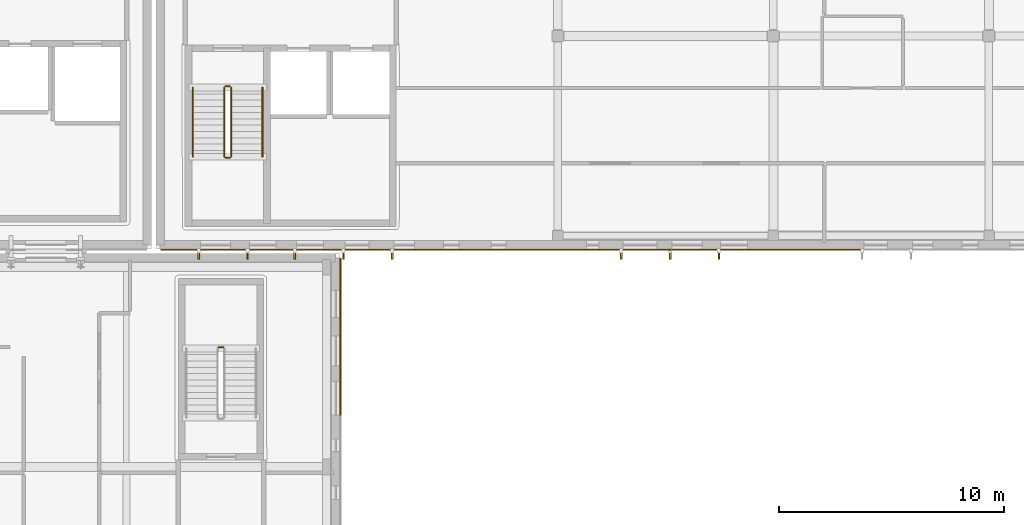
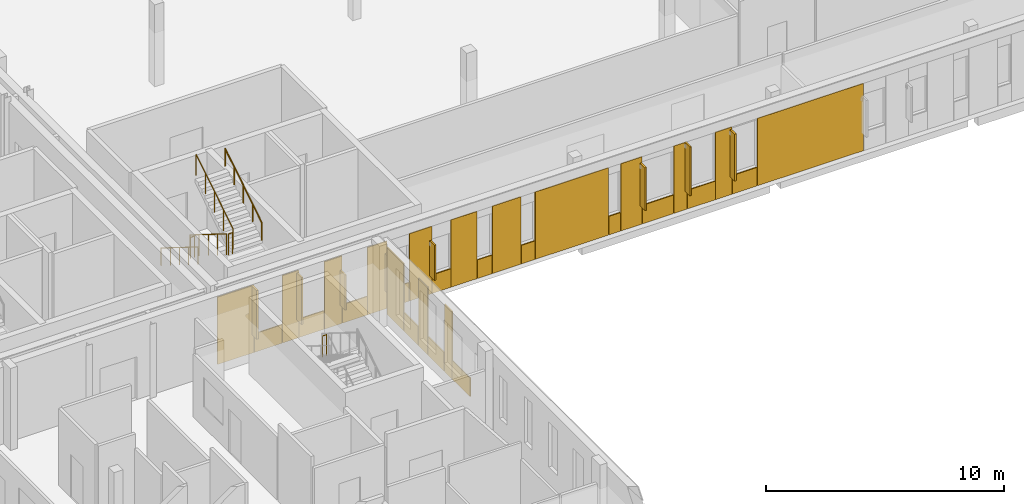
# One storey, part 66 of 84: 29 coverings, 8 shading devices, 7 railings.
"""IFC4 building model written with IfcOpenShell, lengths in metres."""

from ifc_helpers import new_model, si_unit, direction, frame, origin, origin_2d, place, context, subcontext, project, spatial, rectangle, circle, extrude, material, layer, layer_set, type_object, element, save


model = new_model("IFC4")

# Units and contexts
model_context = context("Model", 3, precision=1e-05, world=origin(), true_north=direction((0.0, 1.0)))
body_context = subcontext(model_context, "Body", "Model", "MODEL_VIEW")
ifc_project = project(units=[si_unit("LENGTHUNIT", "METRE"), si_unit("AREAUNIT", "SQUARE_METRE"), si_unit("VOLUMEUNIT", "CUBIC_METRE"), si_unit("PLANEANGLEUNIT", "RADIAN"), si_unit("MASSUNIT", "GRAM", prefix="KILO")], contexts=[model_context])

# Site, building, storey
site_placement = place(None, origin())
site = spatial("IfcSite", under=ifc_project, at=site_placement, CompositionType="ELEMENT")
building_placement = place(site_placement, origin())
building = spatial("IfcBuilding", under=site, at=building_placement, Name="Mzevani Central Library", CompositionType="ELEMENT")
storey_placement = place(building_placement, frame((0.0, 0.0, 5.39990234375)))
storey = spatial("IfcBuildingStorey", under=building, at=storey_placement, Name="L01", CompositionType="ELEMENT", Elevation=5.39990234375)

# Shading devices
ifc_material_1 = material(Name="Anodized architectural bronze")
shading_device_type = type_object("IfcShadingDeviceType", Name="Anodized Bronze Vertical Sun-Breaker Fin", PredefinedType="USERDEFINED", material=ifc_material_1)
shading_device_1_placement = place(storey_placement, frame((71.179931640625, 42.27490234375, 0.9501953125), z_axis=(0.0, 0.0, 1.0), x_axis=(-1.0, 0.0, 0.0)))
element("IfcShadingDevice", 1, at=shading_device_1_placement, inside=storey, type_object=shading_device_type, Name="L01 V1 Solar Fin (67)", ObjectType="SOLAR FIN", PredefinedType="USERDEFINED", context=body_context, shape_type="SweptSolid", body=[
    extrude(rectangle(XDim=0.080078125, YDim=0.449951171875, at=origin_2d()), origin(), (0.0, 0.0, 1.0), 2.39990234375),
])
shading_device_2_placement = place(storey_placement, frame((69.0048828125, 42.27490234375, 0.9501953125), z_axis=(0.0, 0.0, 1.0), x_axis=(-1.0, 0.0, 0.0)))
element("IfcShadingDevice", 2, at=shading_device_2_placement, inside=storey, type_object=shading_device_type, Name="L01 V1 Solar Fin (68)", ObjectType="SOLAR FIN", PredefinedType="USERDEFINED", context=body_context, shape_type="SweptSolid", body=[
    extrude(rectangle(XDim=0.080078125, YDim=0.449951171875, at=origin_2d()), origin(), (0.0, 0.0, 1.0), 2.5),
])
shading_device_3_placement = place(storey_placement, frame((66.830078125, 42.27490234375, 0.9501953125), z_axis=(0.0, 0.0, 1.0), x_axis=(-1.0, 0.0, 0.0)))
element("IfcShadingDevice", 3, at=shading_device_3_placement, inside=storey, type_object=shading_device_type, Name="L01 V1 Solar Fin (69)", ObjectType="SOLAR FIN", PredefinedType="USERDEFINED", context=body_context, shape_type="SweptSolid", body=[
    extrude(rectangle(XDim=0.080078125, YDim=0.449951171875, at=origin_2d()), origin(), (0.0, 0.0, 1.0), 2.199951171875),
])
shading_device_4_placement = place(storey_placement, frame((56.6298828125, 42.27490234375, 0.9501953125), z_axis=(0.0, 0.0, 1.0), x_axis=(-1.0, 0.0, 0.0)))
element("IfcShadingDevice", 4, at=shading_device_4_placement, inside=storey, type_object=shading_device_type, Name="L01 V1 Solar Fin (73)", ObjectType="SOLAR FIN", PredefinedType="USERDEFINED", context=body_context, shape_type="SweptSolid", body=[
    extrude(rectangle(XDim=0.080078125, YDim=0.449951171875, at=origin_2d()), origin(), (0.0, 0.0, 1.0), 1.800048828125),
])
shading_device_5_placement = place(storey_placement, frame((54.455078125, 42.27490234375, 0.9501953125), z_axis=(0.0, 0.0, 1.0), x_axis=(-1.0, 0.0, 0.0)))
element("IfcShadingDevice", 5, at=shading_device_5_placement, inside=storey, type_object=shading_device_type, Name="L01 V1 Solar Fin (74)", ObjectType="SOLAR FIN", PredefinedType="USERDEFINED", context=body_context, shape_type="SweptSolid", body=[
    extrude(rectangle(XDim=0.080078125, YDim=0.449951171875, at=origin_2d()), origin(), (0.0, 0.0, 1.0), 1.89990234375),
])
shading_device_6_placement = place(storey_placement, frame((52.280029296875, 42.27490234375, 0.9501953125), z_axis=(0.0, 0.0, 1.0), x_axis=(-1.0, 0.0, 0.0)))
element("IfcShadingDevice", 6, at=shading_device_6_placement, inside=storey, type_object=shading_device_type, Name="L01 V1 Solar Fin (75)", ObjectType="SOLAR FIN", PredefinedType="USERDEFINED", context=body_context, shape_type="SweptSolid", body=[
    extrude(rectangle(XDim=0.080078125, YDim=0.449951171875, at=origin_2d()), origin(), (0.0, 0.0, 1.0), 1.800048828125),
])
shading_device_7_placement = place(storey_placement, frame((50.179931640625, 42.27490234375, 0.9501953125), z_axis=(0.0, 0.0, 1.0), x_axis=(-1.0, 0.0, 0.0)))
element("IfcShadingDevice", 7, at=shading_device_7_placement, inside=storey, type_object=shading_device_type, Name="L01 V1 Solar Fin (76)", ObjectType="SOLAR FIN", PredefinedType="USERDEFINED", context=body_context, shape_type="SweptSolid", body=[
    extrude(rectangle(XDim=0.080078125, YDim=0.449951171875, at=origin_2d()), origin(), (0.0, 0.0, 1.0), 2.39990234375),
])
shading_device_8_placement = place(storey_placement, frame((48.0048828125, 42.27490234375, 0.9501953125), z_axis=(0.0, 0.0, 1.0), x_axis=(-1.0, 0.0, 0.0)))
element("IfcShadingDevice", 8, at=shading_device_8_placement, inside=storey, type_object=shading_device_type, Name="L01 V1 Solar Fin (77)", ObjectType="SOLAR FIN", PredefinedType="USERDEFINED", context=body_context, shape_type="SweptSolid", body=[
    extrude(rectangle(XDim=0.080078125, YDim=0.449951171875, at=origin_2d()), origin(), (0.0, 0.0, 1.0), 2.5),
])

# Railings
ifc_material_2 = material(Name="Brushed stainless steel rail", Category="steel")
railing_type_1 = type_object("IfcRailingType", Name="Interior Gallery and Stair Guard 1100", PredefinedType="BALUSTRADE", material=ifc_material_2)
railing_1_placement = place(storey_placement, frame((49.14990234375, 49.699951171875, 0.175048828125)))
element("IfcRailing", 9, at=railing_1_placement, inside=storey, type_object=railing_type_1, Name="L01 ST-01 stair guard 1", PredefinedType="BALUSTRADE", context=body_context, shape_type="SweptSolid", body=[
    extrude(circle(Radius=0.02392578125, at=origin_2d()), frame((0.0, 0.0, 1.076171875), z_axis=(0.0, -0.847979421464, 0.530029150871), x_axis=(1.0, 0.0, 0.0)), (0.0, 0.0, 1.0), 3.632080078125),
    extrude(circle(Radius=0.02099609375, at=origin_2d()), origin(), (0.0, 0.0, 1.0), 1.052001953125),
    extrude(circle(Radius=0.02099609375, at=origin_2d()), frame((0.0, -0.77001953125, 0.481201171875)), (0.0, 0.0, 1.0), 1.052001953125),
    extrude(circle(Radius=0.02099609375, at=origin_2d()), frame((0.0, -1.5400390625, 0.96240234375)), (0.0, 0.0, 1.0), 1.052001953125),
    extrude(circle(Radius=0.02099609375, at=origin_2d()), frame((0.0, -2.309814453125, 1.44384765625)), (0.0, 0.0, 1.0), 1.052001953125),
    extrude(circle(Radius=0.02099609375, at=origin_2d()), frame((0.0, -3.079833984375, 1.925048828125)), (0.0, 0.0, 1.0), 1.052001953125),
])
railing_2_placement = place(storey_placement, frame((49.199951171875, 46.570068359375, 2.10009765625)))
element("IfcRailing", 10, at=railing_2_placement, inside=storey, type_object=railing_type_1, Name="L01 ST-01 stair guard 2", PredefinedType="BALUSTRADE", context=body_context, shape_type="SweptSolid", body=[
    extrude(circle(Radius=0.02392578125, at=origin_2d()), frame((0.0, 0.0, 1.076171875), z_axis=(1.0, 0.0, 0.0), x_axis=(0.0, 1.0, 0.0)), (0.0, 0.0, 1.0), 0.199951171875),
    extrude(circle(Radius=0.02099609375, at=origin_2d()), origin(), (0.0, 0.0, 1.0), 1.052001953125),
    extrude(circle(Radius=0.02099609375, at=origin_2d()), frame((0.199951171875, 0.0, 0.0)), (0.0, 0.0, 1.0), 1.052001953125),
])
railing_3_placement = place(storey_placement, frame((49.449951171875, 46.6201171875, 2.275146484375)))
element("IfcRailing", 11, at=railing_3_placement, inside=storey, type_object=railing_type_1, Name="L01 ST-01 stair guard 3", PredefinedType="BALUSTRADE", context=body_context, shape_type="SweptSolid", body=[
    extrude(circle(Radius=0.02392578125, at=origin_2d()), frame((0.0, 0.0, 1.076171875), z_axis=(0.0, 0.847979421464, 0.530029150871), x_axis=(-1.0, 0.0, 0.0)), (0.0, 0.0, 1.0), 3.632080078125),
    extrude(circle(Radius=0.02099609375, at=origin_2d()), origin(), (0.0, 0.0, 1.0), 1.052001953125),
    extrude(circle(Radius=0.02099609375, at=origin_2d()), frame((0.0, 0.77001953125, 0.481201171875)), (0.0, 0.0, 1.0), 1.052001953125),
    extrude(circle(Radius=0.02099609375, at=origin_2d()), frame((0.0, 1.5400390625, 0.96240234375)), (0.0, 0.0, 1.0), 1.052001953125),
    extrude(circle(Radius=0.02099609375, at=origin_2d()), frame((0.0, 2.309814453125, 1.44384765625)), (0.0, 0.0, 1.0), 1.052001953125),
    extrude(circle(Radius=0.02099609375, at=origin_2d()), frame((0.0, 3.079833984375, 1.925048828125)), (0.0, 0.0, 1.0), 1.052001953125),
])
railing_4_placement = place(storey_placement, frame((49.199951171875, 49.75, 0.0)))
element("IfcRailing", 12, at=railing_4_placement, inside=storey, type_object=railing_type_1, Name="L01 ST-01 stair guard 4", PredefinedType="BALUSTRADE", context=body_context, shape_type="SweptSolid", body=[
    extrude(circle(Radius=0.02392578125, at=origin_2d()), frame((0.0, 0.0, 1.076171875), z_axis=(1.0, 0.0, 0.0), x_axis=(0.0, 1.0, 0.0)), (0.0, 0.0, 1.0), 0.199951171875),
    extrude(circle(Radius=0.02099609375, at=origin_2d()), origin(), (0.0, 0.0, 1.0), 1.052001953125),
    extrude(circle(Radius=0.02099609375, at=origin_2d()), frame((0.199951171875, 0.0, 0.0)), (0.0, 0.0, 1.0), 1.052001953125),
])
railing_5_placement = place(storey_placement, frame((49.10009765625, 38.1298828125, 2.10009765625)))
element("IfcRailing", 13, at=railing_5_placement, inside=storey, type_object=railing_type_1, Name="L01 ST-08 stair guard 2", PredefinedType="BALUSTRADE", context=body_context, shape_type="SweptSolid", body=[
    extrude(circle(Radius=0.02392578125, at=origin_2d()), frame((0.0, 0.0, 1.076171875), z_axis=(-1.0, 0.0, 0.0), x_axis=(0.0, -1.0, 0.0)), (0.0, 0.0, 1.0), 0.2001953125),
    extrude(circle(Radius=0.02099609375, at=origin_2d()), origin(), (0.0, 0.0, 1.0), 1.052001953125),
    extrude(circle(Radius=0.02099609375, at=origin_2d()), frame((-0.2001953125, 0.0, 0.0)), (0.0, 0.0, 1.0), 1.052001953125),
])

# Coverings
ifc_material_3 = material(Name="Limestone ashlar cladding", Category="masonry")
ifc_layer = layer(ifc_material_3, 0.050048828125, Name="Limestone Ashlar Spandrel Cladding")
ifc_layer_set = layer_set([ifc_layer], Name="Limestone ashlar cladding")
covering_type = type_object("IfcCoveringType", Name="Limestone Ashlar Spandrel Cladding", PredefinedType="CLADDING", material=ifc_layer_set)
covering_1_placement = place(storey_placement, frame((75.047607421875, 42.47607421875, 0.0), z_axis=(0.0, 0.0, 1.0), x_axis=(-1.0, 0.0, 0.0)))
element("IfcCovering", 14, at=covering_1_placement, inside=storey, type_object=covering_type, Name="L01 Warm-White Facade Pier 52 (EW4-V1-L01-0006)", PredefinedType="CLADDING", context=body_context, shape_type="SweptSolid", body=[
    extrude(rectangle(XDim=5.135009765625, YDim=0.050048828125, at=origin_2d()), origin(), (0.0, 0.0, 1.0), 3.449951171875),
])
covering_2_placement = place(storey_placement, frame((71.860107421875, 42.47607421875, 0.0), z_axis=(0.0, 0.0, 1.0), x_axis=(-1.0, 0.0, 0.0)))
element("IfcCovering", 15, at=covering_2_placement, inside=storey, type_object=covering_type, Name="L01 Warm-White Sill Cladding 53 (EW4-V1-L01-0006)", PredefinedType="CLADDING", context=body_context, shape_type="SweptSolid", body=[
    extrude(rectangle(XDim=1.199951171875, YDim=0.050048828125, at=origin_2d()), origin(), (0.0, 0.0, 1.0), 0.949951171875),
])
covering_3_placement = place(storey_placement, frame((70.847412109375, 42.47607421875, 0.0), z_axis=(0.0, 0.0, 1.0), x_axis=(-1.0, 0.0, 0.0)))
element("IfcCovering", 16, at=covering_3_placement, inside=storey, type_object=covering_type, Name="L01 Warm-White Facade Pier 54 (EW4-V1-L01-0006)", PredefinedType="CLADDING", context=body_context, shape_type="SweptSolid", body=[
    extrude(rectangle(XDim=0.784912109375, YDim=0.050048828125, at=origin_2d()), origin(), (0.0, 0.0, 1.0), 3.449951171875),
])
covering_4_placement = place(storey_placement, frame((69.760009765625, 42.47607421875, 0.0), z_axis=(0.0, 0.0, 1.0), x_axis=(-1.0, 0.0, 0.0)))
element("IfcCovering", 17, at=covering_4_placement, inside=storey, type_object=covering_type, Name="L01 Warm-White Sill Cladding 55 (EW4-V1-L01-0006)", PredefinedType="CLADDING", context=body_context, shape_type="SweptSolid", body=[
    extrude(rectangle(XDim=1.35009765625, YDim=0.050048828125, at=origin_2d()), origin(), (0.0, 0.0, 1.0), 0.949951171875),
])
covering_5_placement = place(storey_placement, frame((68.74755859375, 42.47607421875, 0.0), z_axis=(0.0, 0.0, 1.0), x_axis=(-1.0, 0.0, 0.0)))
element("IfcCovering", 18, at=covering_5_placement, inside=storey, type_object=covering_type, Name="L01 Warm-White Facade Pier 56 (EW4-V1-L01-0006)", PredefinedType="CLADDING", context=body_context, shape_type="SweptSolid", body=[
    extrude(rectangle(XDim=0.635009765625, YDim=0.050048828125, at=origin_2d()), origin(), (0.0, 0.0, 1.0), 3.449951171875),
])
covering_6_placement = place(storey_placement, frame((67.659912109375, 42.47607421875, 0.0), z_axis=(0.0, 0.0, 1.0), x_axis=(-1.0, 0.0, 0.0)))
element("IfcCovering", 19, at=covering_6_placement, inside=storey, type_object=covering_type, Name="L01 Warm-White Sill Cladding 57 (EW4-V1-L01-0006)", PredefinedType="CLADDING", context=body_context, shape_type="SweptSolid", body=[
    extrude(rectangle(XDim=1.5, YDim=0.050048828125, at=origin_2d()), origin(), (0.0, 0.0, 1.0), 0.949951171875),
])
covering_7_placement = place(storey_placement, frame((66.37255859375, 42.47607421875, 0.0), z_axis=(0.0, 0.0, 1.0), x_axis=(-1.0, 0.0, 0.0)))
element("IfcCovering", 20, at=covering_7_placement, inside=storey, type_object=covering_type, Name="L01 Warm-White Facade Pier 58 (EW4-V1-L01-0006)", PredefinedType="CLADDING", context=body_context, shape_type="SweptSolid", body=[
    extrude(rectangle(XDim=1.034912109375, YDim=0.050048828125, at=origin_2d()), origin(), (0.0, 0.0, 1.0), 3.449951171875),
])
covering_8_placement = place(storey_placement, frame((65.56005859375, 42.47607421875, 0.0), z_axis=(0.0, 0.0, 1.0), x_axis=(-1.0, 0.0, 0.0)))
element("IfcCovering", 21, at=covering_8_placement, inside=storey, type_object=covering_type, Name="L01 Warm-White Sill Cladding 59 (EW4-V1-L01-0006)", PredefinedType="CLADDING", context=body_context, shape_type="SweptSolid", body=[
    extrude(rectangle(XDim=0.550048828125, YDim=0.050048828125, at=origin_2d()), origin(), (0.0, 0.0, 1.0), 0.949951171875),
])
covering_9_placement = place(storey_placement, frame((63.485107421875, 42.47607421875, 0.0), z_axis=(0.0, 0.0, 1.0), x_axis=(-1.0, 0.0, 0.0)))
element("IfcCovering", 22, at=covering_9_placement, inside=storey, type_object=covering_type, Name="L01 Warm-White Facade Pier 60 (EW4-V1-L01-0006)", PredefinedType="CLADDING", context=body_context, shape_type="SweptSolid", body=[
    extrude(rectangle(XDim=3.56005859375, YDim=0.050048828125, at=origin_2d()), origin(), (0.0, 0.0, 1.0), 3.449951171875),
])
covering_10_placement = place(storey_placement, frame((61.360107421875, 42.47607421875, 0.0), z_axis=(0.0, 0.0, 1.0), x_axis=(-1.0, 0.0, 0.0)))
element("IfcCovering", 23, at=covering_10_placement, inside=storey, type_object=covering_type, Name="L01 Warm-White Sill Cladding 61 (EW4-V1-L01-0006)", PredefinedType="CLADDING", context=body_context, shape_type="SweptSolid", body=[
    extrude(rectangle(XDim=0.64990234375, YDim=0.050048828125, at=origin_2d()), origin(), (0.0, 0.0, 1.0), 0.949951171875),
])
covering_11_placement = place(storey_placement, frame((60.322509765625, 42.47607421875, 0.0), z_axis=(0.0, 0.0, 1.0), x_axis=(-1.0, 0.0, 0.0)))
element("IfcCovering", 24, at=covering_11_placement, inside=storey, type_object=covering_type, Name="L01 Warm-White Facade Pier 62 (EW4-V1-L01-0006)", PredefinedType="CLADDING", context=body_context, shape_type="SweptSolid", body=[
    extrude(rectangle(XDim=1.385009765625, YDim=0.050048828125, at=origin_2d()), origin(), (0.0, 0.0, 1.0), 3.449951171875),
])
covering_12_placement = place(storey_placement, frame((59.260009765625, 42.47607421875, 0.0), z_axis=(0.0, 0.0, 1.0), x_axis=(-1.0, 0.0, 0.0)))
element("IfcCovering", 25, at=covering_12_placement, inside=storey, type_object=covering_type, Name="L01 Warm-White Sill Cladding 63 (EW4-V1-L01-0006)", PredefinedType="CLADDING", context=body_context, shape_type="SweptSolid", body=[
    extrude(rectangle(XDim=0.699951171875, YDim=0.050048828125, at=origin_2d()), origin(), (0.0, 0.0, 1.0), 0.949951171875),
])
covering_13_placement = place(storey_placement, frame((58.260009765625, 42.47607421875, 0.0), z_axis=(0.0, 0.0, 1.0), x_axis=(-1.0, 0.0, 0.0)))
element("IfcCovering", 26, at=covering_13_placement, inside=storey, type_object=covering_type, Name="L01 Warm-White Facade Pier 64 (EW4-V1-L01-0006)", PredefinedType="CLADDING", context=body_context, shape_type="SweptSolid", body=[
    extrude(rectangle(XDim=1.260009765625, YDim=0.050048828125, at=origin_2d()), origin(), (0.0, 0.0, 1.0), 3.449951171875),
])
covering_14_placement = place(storey_placement, frame((57.159912109375, 42.47607421875, 0.0), z_axis=(0.0, 0.0, 1.0), x_axis=(-1.0, 0.0, 0.0)))
element("IfcCovering", 27, at=covering_14_placement, inside=storey, type_object=covering_type, Name="L01 Warm-White Sill Cladding 65 (EW4-V1-L01-0006)", PredefinedType="CLADDING", context=body_context, shape_type="SweptSolid", body=[
    extrude(rectangle(XDim=0.89990234375, YDim=0.050048828125, at=origin_2d()), origin(), (0.0, 0.0, 1.0), 0.949951171875),
])
covering_15_placement = place(storey_placement, frame((56.1474609375, 42.47607421875, 0.0), z_axis=(0.0, 0.0, 1.0), x_axis=(-1.0, 0.0, 0.0)))
element("IfcCovering", 28, at=covering_15_placement, inside=storey, type_object=covering_type, Name="L01 Warm-White Facade Pier 66 (EW4-V1-L01-0006)", PredefinedType="CLADDING", context=body_context, shape_type="SweptSolid", body=[
    extrude(rectangle(XDim=1.0849609375, YDim=0.050048828125, at=origin_2d()), origin(), (0.0, 0.0, 1.0), 3.449951171875),
])
covering_16_placement = place(storey_placement, frame((55.06005859375, 42.47607421875, 0.0), z_axis=(0.0, 0.0, 1.0), x_axis=(-1.0, 0.0, 0.0)))
element("IfcCovering", 29, at=covering_16_placement, inside=storey, type_object=covering_type, Name="L01 Warm-White Sill Cladding 67 (EW4-V1-L01-0006)", PredefinedType="CLADDING", context=body_context, shape_type="SweptSolid", body=[
    extrude(rectangle(XDim=1.050048828125, YDim=0.050048828125, at=origin_2d()), origin(), (0.0, 0.0, 1.0), 0.949951171875),
])
covering_17_placement = place(storey_placement, frame((54.047607421875, 42.47607421875, 0.0), z_axis=(0.0, 0.0, 1.0), x_axis=(-1.0, 0.0, 0.0)))
element("IfcCovering", 30, at=covering_17_placement, inside=storey, type_object=covering_type, Name="L01 Warm-White Facade Pier 68 (EW4-V1-L01-0006)", PredefinedType="CLADDING", context=body_context, shape_type="SweptSolid", body=[
    extrude(rectangle(XDim=0.93505859375, YDim=0.050048828125, at=origin_2d()), origin(), (0.0, 0.0, 1.0), 3.449951171875),
])
covering_18_placement = place(storey_placement, frame((52.9599609375, 42.47607421875, 0.0), z_axis=(0.0, 0.0, 1.0), x_axis=(-1.0, 0.0, 0.0)))
element("IfcCovering", 31, at=covering_18_placement, inside=storey, type_object=covering_type, Name="L01 Warm-White Sill Cladding 69 (EW4-V1-L01-0006)", PredefinedType="CLADDING", context=body_context, shape_type="SweptSolid", body=[
    extrude(rectangle(XDim=1.199951171875, YDim=0.050048828125, at=origin_2d()), origin(), (0.0, 0.0, 1.0), 0.949951171875),
])
covering_19_placement = place(storey_placement, frame((51.909912109375, 42.47607421875, 0.0), z_axis=(0.0, 0.0, 1.0), x_axis=(-1.0, 0.0, 0.0)))
element("IfcCovering", 32, at=covering_19_placement, inside=storey, type_object=covering_type, Name="L01 Warm-White Facade Pier 70 (EW4-V1-L01-0006)", PredefinedType="CLADDING", context=body_context, shape_type="SweptSolid", body=[
    extrude(rectangle(XDim=0.860107421875, YDim=0.050048828125, at=origin_2d()), origin(), (0.0, 0.0, 1.0), 3.449951171875),
])
covering_20_placement = place(storey_placement, frame((50.860107421875, 42.47607421875, 0.0), z_axis=(0.0, 0.0, 1.0), x_axis=(-1.0, 0.0, 0.0)))
element("IfcCovering", 33, at=covering_20_placement, inside=storey, type_object=covering_type, Name="L01 Warm-White Sill Cladding 71 (EW4-V1-L01-0006)", PredefinedType="CLADDING", context=body_context, shape_type="SweptSolid", body=[
    extrude(rectangle(XDim=1.199951171875, YDim=0.050048828125, at=origin_2d()), origin(), (0.0, 0.0, 1.0), 0.949951171875),
])
covering_21_placement = place(storey_placement, frame((49.847412109375, 42.47607421875, 0.0), z_axis=(0.0, 0.0, 1.0), x_axis=(-1.0, 0.0, 0.0)))
element("IfcCovering", 34, at=covering_21_placement, inside=storey, type_object=covering_type, Name="L01 Warm-White Facade Pier 72 (EW4-V1-L01-0006)", PredefinedType="CLADDING", context=body_context, shape_type="SweptSolid", body=[
    extrude(rectangle(XDim=0.784912109375, YDim=0.050048828125, at=origin_2d()), origin(), (0.0, 0.0, 1.0), 3.449951171875),
])
covering_22_placement = place(storey_placement, frame((48.760009765625, 42.47607421875, 0.0), z_axis=(0.0, 0.0, 1.0), x_axis=(-1.0, 0.0, 0.0)))
element("IfcCovering", 35, at=covering_22_placement, inside=storey, type_object=covering_type, Name="L01 Warm-White Sill Cladding 73 (EW4-V1-L01-0006)", PredefinedType="CLADDING", context=body_context, shape_type="SweptSolid", body=[
    extrude(rectangle(XDim=1.35009765625, YDim=0.050048828125, at=origin_2d()), origin(), (0.0, 0.0, 1.0), 0.949951171875),
])
covering_23_placement = place(storey_placement, frame((47.1875, 42.47607421875, 0.0), z_axis=(0.0, 0.0, 1.0), x_axis=(-1.0, 0.0, 0.0)))
element("IfcCovering", 36, at=covering_23_placement, inside=storey, type_object=covering_type, Name="L01 Warm-White Facade Pier 74 (EW4-V1-L01-0006)", PredefinedType="CLADDING", context=body_context, shape_type="SweptSolid", body=[
    extrude(rectangle(XDim=1.7548828125, YDim=0.050048828125, at=origin_2d()), origin(), (0.0, 0.0, 1.0), 3.449951171875),
])
covering_24_placement = place(storey_placement, frame((54.323974609375, 41.385009765625, 0.0), z_axis=(0.0, 0.0, 1.0), x_axis=(0.0, -1.0, 0.0)))
element("IfcCovering", 37, at=covering_24_placement, inside=storey, type_object=covering_type, Name="L01 Warm-White Facade Pier 1 (EW4-V4-L01-0079)", PredefinedType="CLADDING", context=body_context, shape_type="SweptSolid", body=[
    extrude(rectangle(XDim=1.409912109375, YDim=0.050048828125, at=origin_2d()), origin(), (0.0, 0.0, 1.0), 3.449951171875),
])
covering_25_placement = place(storey_placement, frame((54.323974609375, 40.06005859375, 0.0), z_axis=(0.0, 0.0, 1.0), x_axis=(0.0, -1.0, 0.0)))
element("IfcCovering", 38, at=covering_25_placement, inside=storey, type_object=covering_type, Name="L01 Warm-White Sill Cladding 2 (EW4-V4-L01-0079)", PredefinedType="CLADDING", context=body_context, shape_type="SweptSolid", body=[
    extrude(rectangle(XDim=1.199951171875, YDim=0.050048828125, at=origin_2d()), origin(), (0.0, 0.0, 1.0), 0.949951171875),
])
covering_26_placement = place(storey_placement, frame((54.323974609375, 39.047607421875, 0.0), z_axis=(0.0, 0.0, 1.0), x_axis=(0.0, -1.0, 0.0)))
element("IfcCovering", 39, at=covering_26_placement, inside=storey, type_object=covering_type, Name="L01 Warm-White Facade Pier 3 (EW4-V4-L01-0079)", PredefinedType="CLADDING", context=body_context, shape_type="SweptSolid", body=[
    extrude(rectangle(XDim=0.784912109375, YDim=0.050048828125, at=origin_2d()), origin(), (0.0, 0.0, 1.0), 3.449951171875),
])
covering_27_placement = place(storey_placement, frame((54.323974609375, 37.9599609375, 0.0), z_axis=(0.0, 0.0, 1.0), x_axis=(0.0, -1.0, 0.0)))
element("IfcCovering", 40, at=covering_27_placement, inside=storey, type_object=covering_type, Name="L01 Warm-White Sill Cladding 4 (EW4-V4-L01-0079)", PredefinedType="CLADDING", context=body_context, shape_type="SweptSolid", body=[
    extrude(rectangle(XDim=1.35009765625, YDim=0.050048828125, at=origin_2d()), origin(), (0.0, 0.0, 1.0), 0.949951171875),
])
covering_28_placement = place(storey_placement, frame((54.323974609375, 36.947509765625, 0.0), z_axis=(0.0, 0.0, 1.0), x_axis=(0.0, -1.0, 0.0)))
element("IfcCovering", 41, at=covering_28_placement, inside=storey, type_object=covering_type, Name="L01 Warm-White Facade Pier 5 (EW4-V4-L01-0079)", PredefinedType="CLADDING", context=body_context, shape_type="SweptSolid", body=[
    extrude(rectangle(XDim=0.635009765625, YDim=0.050048828125, at=origin_2d()), origin(), (0.0, 0.0, 1.0), 3.449951171875),
])
covering_29_placement = place(storey_placement, frame((54.323974609375, 35.860107421875, 0.0), z_axis=(0.0, 0.0, 1.0), x_axis=(0.0, -1.0, 0.0)))
element("IfcCovering", 42, at=covering_29_placement, inside=storey, type_object=covering_type, Name="L01 Warm-White Sill Cladding 6 (EW4-V4-L01-0079)", PredefinedType="CLADDING", context=body_context, shape_type="SweptSolid", body=[
    extrude(rectangle(XDim=1.5, YDim=0.050048828125, at=origin_2d()), origin(), (0.0, 0.0, 1.0), 0.949951171875),
])

# Railings
railing_type_2 = type_object("IfcRailingType", Name="Stair Wall Handrail 920", PredefinedType="HANDRAIL", material=ifc_material_2)
railing_6_placement = place(storey_placement, frame((47.75, 49.699951171875, 0.175048828125)))
element("IfcRailing", 43, at=railing_6_placement, inside=storey, type_object=railing_type_2, Name="L01 ST-01 stair handrail 1", PredefinedType="HANDRAIL", context=body_context, shape_type="SweptSolid", body=[
    extrude(circle(Radius=0.02392578125, at=origin_2d()), frame((0.0, 0.0, 0.89599609375), z_axis=(0.0, -0.847979421464, 0.530029150871), x_axis=(1.0, 0.0, 0.0)), (0.0, 0.0, 1.0), 3.632080078125),
    extrude(circle(Radius=0.02099609375, at=origin_2d()), origin(), (0.0, 0.0, 1.0), 0.871826171875),
    extrude(circle(Radius=0.02099609375, at=origin_2d()), frame((0.0, -0.77001953125, 0.481201171875)), (0.0, 0.0, 1.0), 0.871826171875),
    extrude(circle(Radius=0.02099609375, at=origin_2d()), frame((0.0, -1.5400390625, 0.96240234375)), (0.0, 0.0, 1.0), 0.871826171875),
    extrude(circle(Radius=0.02099609375, at=origin_2d()), frame((0.0, -2.309814453125, 1.44384765625)), (0.0, 0.0, 1.0), 0.871826171875),
    extrude(circle(Radius=0.02099609375, at=origin_2d()), frame((0.0, -3.079833984375, 1.925048828125)), (0.0, 0.0, 1.0), 0.871826171875),
])
railing_7_placement = place(storey_placement, frame((50.85009765625, 46.6201171875, 2.275146484375)))
element("IfcRailing", 44, at=railing_7_placement, inside=storey, type_object=railing_type_2, Name="L01 ST-01 stair handrail 2", PredefinedType="HANDRAIL", context=body_context, shape_type="SweptSolid", body=[
    extrude(circle(Radius=0.02392578125, at=origin_2d()), frame((0.0, 0.0, 0.89599609375), z_axis=(0.0, 0.847979421464, 0.530029150871), x_axis=(-1.0, 0.0, 0.0)), (0.0, 0.0, 1.0), 3.632080078125),
    extrude(circle(Radius=0.02099609375, at=origin_2d()), origin(), (0.0, 0.0, 1.0), 0.871826171875),
    extrude(circle(Radius=0.02099609375, at=origin_2d()), frame((0.0, 0.77001953125, 0.481201171875)), (0.0, 0.0, 1.0), 0.871826171875),
    extrude(circle(Radius=0.02099609375, at=origin_2d()), frame((0.0, 1.5400390625, 0.96240234375)), (0.0, 0.0, 1.0), 0.871826171875),
    extrude(circle(Radius=0.02099609375, at=origin_2d()), frame((0.0, 2.309814453125, 1.44384765625)), (0.0, 0.0, 1.0), 0.871826171875),
    extrude(circle(Radius=0.02099609375, at=origin_2d()), frame((0.0, 3.079833984375, 1.925048828125)), (0.0, 0.0, 1.0), 0.871826171875),
])

save(model, "model.ifc")
